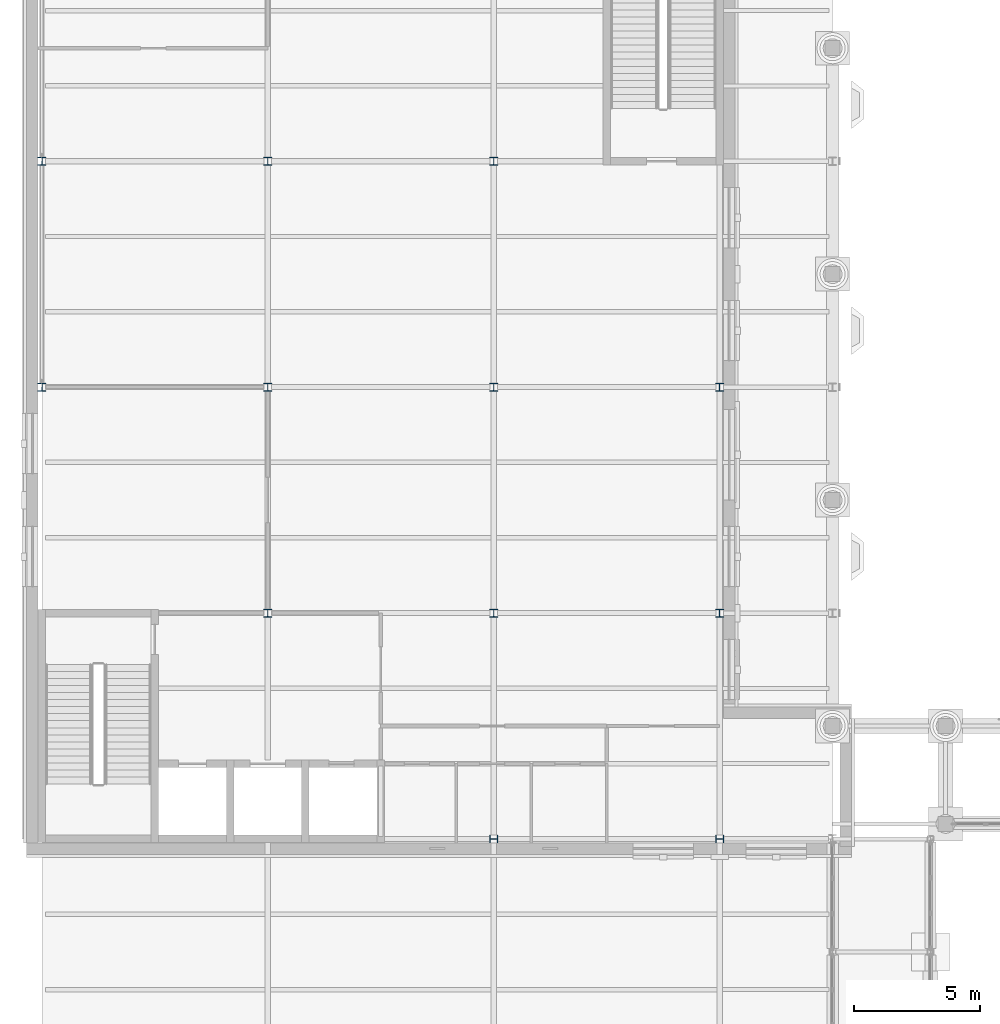
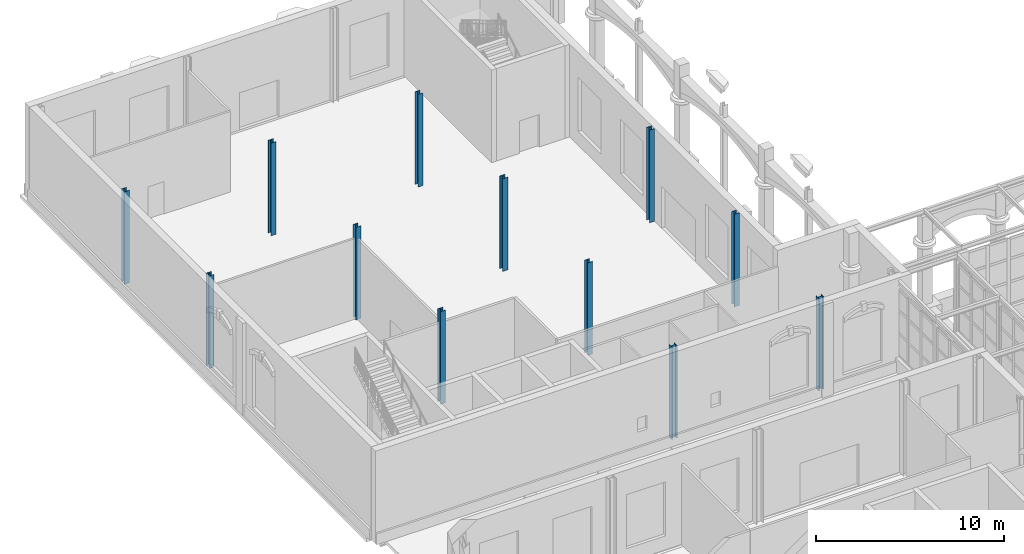
# One storey, part 11 of 106: 12 columns.
"""IFC4 building model written with IfcOpenShell, lengths in metres."""

from ifc_helpers import new_model, si_unit, direction, frame, origin, origin_2d, place, context, subcontext, project, spatial, i_section, extrude, material, material_profile, profile_set, type_object, element, save


model = new_model("IFC4")

# Units and contexts
model_context = context("Model", 3, precision=1e-05, world=origin(), true_north=direction((0.0, 1.0)))
body_context = subcontext(model_context, "Body", "Model", "MODEL_VIEW")
ifc_project = project(units=[si_unit("LENGTHUNIT", "METRE"), si_unit("AREAUNIT", "SQUARE_METRE"), si_unit("VOLUMEUNIT", "CUBIC_METRE"), si_unit("PLANEANGLEUNIT", "RADIAN"), si_unit("MASSUNIT", "GRAM", prefix="KILO")], contexts=[model_context])

# Site, building, storey
site_placement = place(None, origin())
site = spatial("IfcSite", under=ifc_project, at=site_placement, CompositionType="ELEMENT")
building_placement = place(site_placement, origin())
building = spatial("IfcBuilding", under=site, at=building_placement, Name="Hortulan Conservatory and Botanical Research Centre", CompositionType="ELEMENT")
storey_placement = place(building_placement, origin())
storey = spatial("IfcBuildingStorey", under=building, at=storey_placement, Name="L00", CompositionType="ELEMENT", Elevation=0.0)

# Columns
ifc_material = material(Name="Steel Grade 300PLUS (AS/NZS 3679.1, 280 MPa minimum yield)", Category="steel")
ifc_material_profile = material_profile(ifc_material, i_section(OverallWidth=0.30908203125, OverallDepth=0.321044921875, WebThickness=0.013916015625, FlangeThickness=0.021728515625, FilletRadius=0.0166015625, at=origin_2d()), Name="310UC137")
ifc_profile_set = profile_set([ifc_material_profile], Name="Steel Grade 300PLUS (AS/NZS 3679.1, 280 MPa minimum yield)")
column_type = type_object("IfcColumnType", Name="Visitor Centre Column 310UC137", PredefinedType="COLUMN", material=ifc_profile_set)
for number, where, z_axis, x_axis, name in (
    (1, (0.0, 54.0, 0.0), (0.0, 0.0, 1.0), (1.0, 0.0, 0.0), "310UC137 column"),
    (2, (0.0, 63.0, 0.0), (0.0, 0.0, 1.0), (1.0, 0.0, 0.0), "310UC137 column"),
    (3, (9.0, 45.0, 0.0), (0.0, 0.0, 1.0), (1.0, 0.0, 0.0), "310UC137 column"),
    (4, (9.0, 54.0, 0.0), (0.0, 0.0, 1.0), (1.0, 0.0, 0.0), "310UC137 column"),
    (5, (9.0, 63.0, 0.0), (0.0, 0.0, 1.0), (1.0, 0.0, 0.0), "310UC137 column"),
    (6, (18.0, 36.0, 0.0), (0.0, 0.0, 1.0), (0.0, 1.0, 0.0), "310UC137 column"),
    (7, (18.0, 45.0, 0.0), (0.0, 0.0, 1.0), (1.0, 0.0, 0.0), "310UC137 column"),
    (8, (18.0, 54.0, 0.0), (0.0, 0.0, 1.0), (1.0, 0.0, 0.0), "310UC137 column"),
    (9, (18.0, 63.0, 0.0), (0.0, 0.0, 1.0), (1.0, 0.0, 0.0), "310UC137 column"),
    (10, (27.0, 36.0, 0.0), (0.0, 0.0, 1.0), (0.0, 1.0, 0.0), "310UC137 column"),
    (11, (27.0, 45.0, 0.0), (0.0, 0.0, 1.0), (1.0, 0.0, 0.0), "310UC137 column"),
    (12, (27.0, 54.0, 0.0), (0.0, 0.0, 1.0), (1.0, 0.0, 0.0), "310UC137 column"),
):
    element("IfcColumn", number, at=place(storey_placement, frame(where, z_axis=z_axis, x_axis=x_axis)), inside=storey, type_object=column_type, Name=name, PredefinedType="COLUMN", context=body_context, shape_type="SweptSolid", body=[
        extrude(i_section(OverallWidth=0.30908203125, OverallDepth=0.321044921875, WebThickness=0.013916015625, FlangeThickness=0.021728515625, FilletRadius=0.0166015625, at=origin_2d()), origin(), (0.0, 0.0, 1.0), 6.0),
    ])

save(model, "model.ifc")
